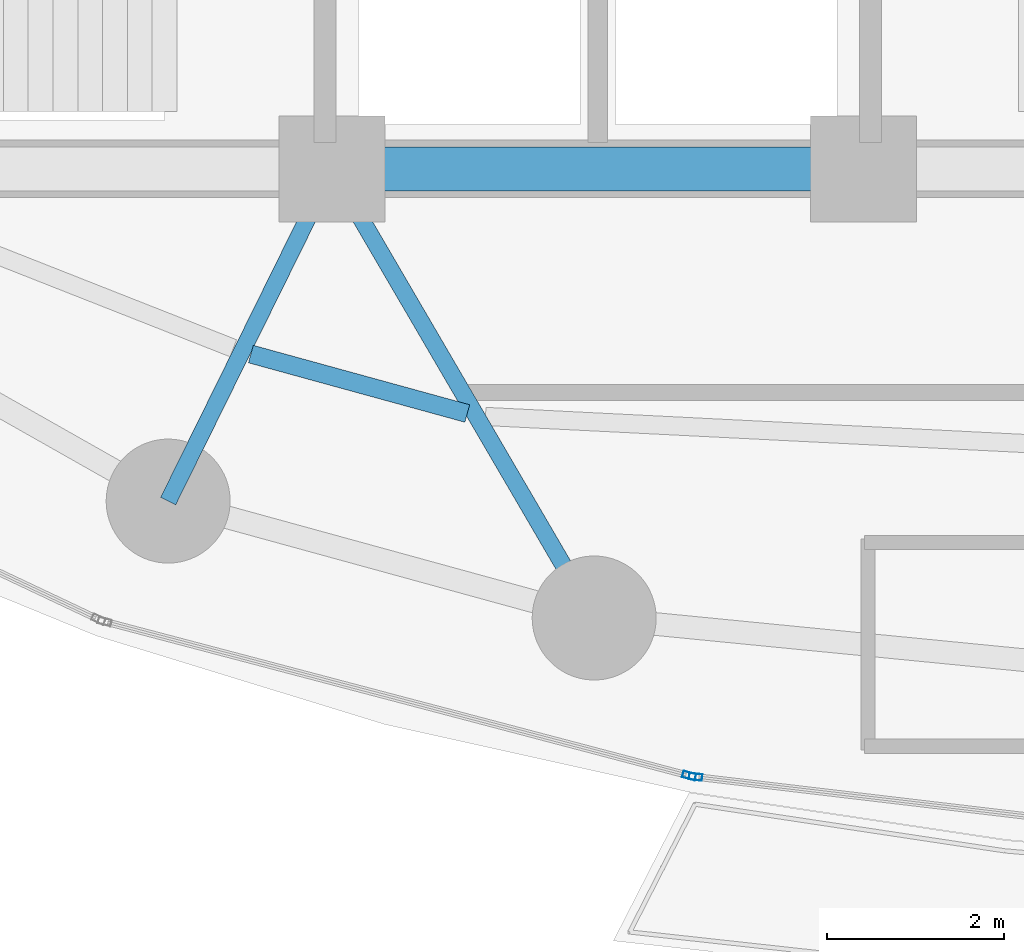
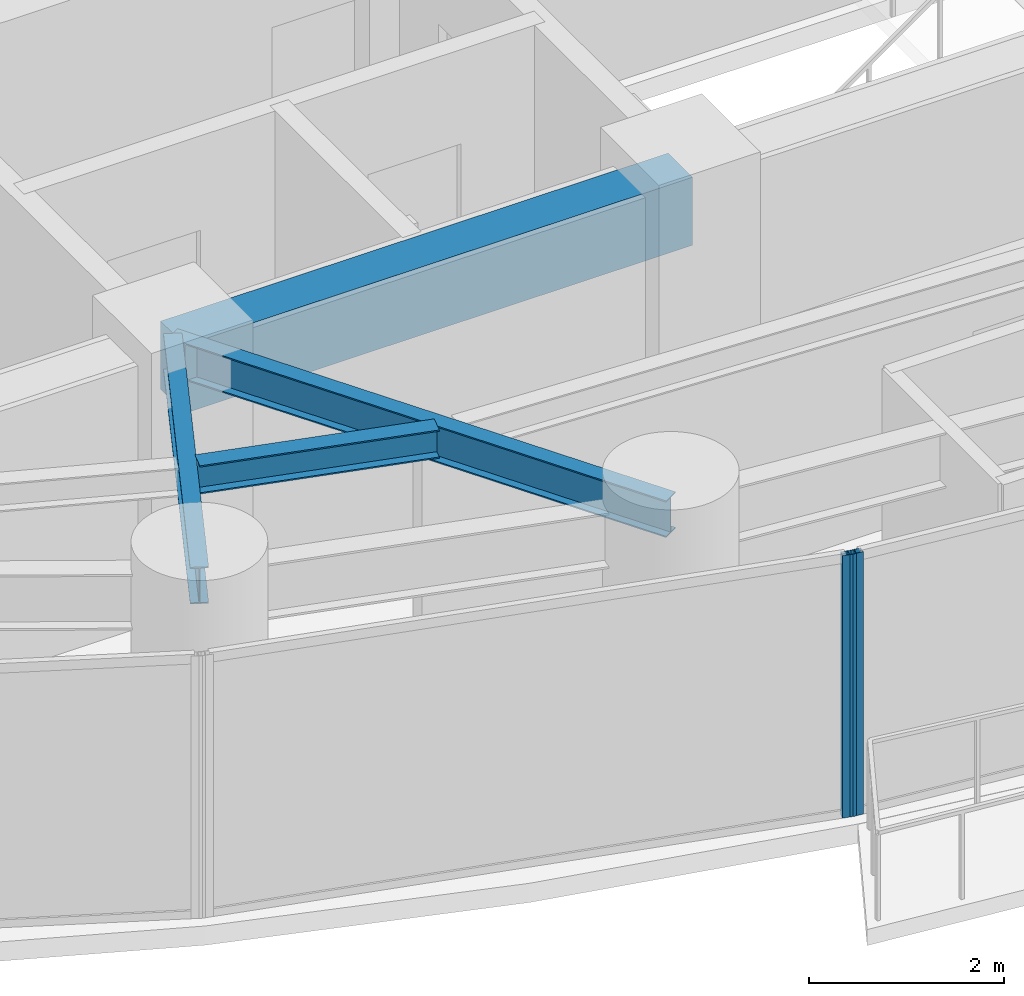
# One storey, part 5 of 30: 4 beams, 2 members, 2 elements without a shape of their own.
"""IFC4 building model written with IfcOpenShell, lengths in metres."""

import ifcopenshell
import ifcopenshell.guid

model = None  # the IFC model being written
_history = None  # IfcOwnerHistory: only IFC2X3 demands one
_inside = {}  # id of a spatial element -> (the spatial element, [elements in it])
_under = {}  # id of a project, library or spatial element -> (it, [spatial elements below it])
_declared = {}  # id of a project -> (the project, [libraries it declares])
_typed = {}  # id of a type object -> (the type object, [elements of that type])
_made_of = {}  # id of a material, layer set ... -> (it, [elements and type objects made of it])


def new_model(schema):
    """Start an empty IFC model of exactly this schema.

    Asked for "IFC4X3", IfcOpenShell would pick the latest addendum, in which some entities
    have other attributes; the version numbers below select the first issue.
    IFC2X3 requires an IfcOwnerHistory on every rooted entity: one is made here for all.
    """
    global model, _history
    if schema == "IFC4X3":
        model = ifcopenshell.file(schema_version=(4, 3, 0, 0))
    else:
        model = ifcopenshell.file(schema=schema)
    _inside.clear()
    _under.clear()
    _declared.clear()
    _typed.clear()
    _made_of.clear()
    _history = None
    if model.schema == "IFC2X3":
        org = make("IfcOrganization", Name="unknown")
        user = make(
            "IfcPersonAndOrganization",
            ThePerson=make("IfcPerson", FamilyName="unknown"),
            TheOrganization=org,
        )
        app = make(
            "IfcApplication",
            ApplicationDeveloper=org,
            Version="unknown",
            ApplicationFullName="unknown",
            ApplicationIdentifier="unknown",
        )
        _history = make(
            "IfcOwnerHistory",
            OwningUser=user,
            OwningApplication=app,
            ChangeAction="ADDED",
            CreationDate=0,
        )
    return model


def make(cls, **values):
    """One entity of the class cls with the attributes given. An attribute that is None is left unset."""
    return model.create_entity(
        cls, **{name: value for name, value in values.items() if value is not None}
    )


def rooted(cls, **values):
    """An entity with a GlobalId (a new one), such as an element, a storey or a relation."""
    return make(cls, GlobalId=ifcopenshell.guid.new(), OwnerHistory=_history, **values)


def si_unit(unit_type, name, prefix=None):
    """IfcSIUnit, for example si_unit("LENGTHUNIT", "METRE", prefix="MILLI")."""
    return make("IfcSIUnit", UnitType=unit_type, Prefix=prefix, Name=name)


def assignment(units):
    """IfcUnitAssignment: the units of a project."""
    return None if units is None else make("IfcUnitAssignment", Units=units)


def point(xyz):
    """IfcCartesianPoint."""
    return None if xyz is None else make("IfcCartesianPoint", Coordinates=xyz)


def direction(xyz):
    """IfcDirection."""
    return None if xyz is None else make("IfcDirection", DirectionRatios=xyz)


def frame(location, z_axis=None, x_axis=None):
    """IfcAxis2Placement3D, a coordinate frame: its origin and axes. An axis left out is left unset."""
    return make(
        "IfcAxis2Placement3D",
        Location=point(location),
        Axis=direction(z_axis),
        RefDirection=direction(x_axis),
    )


def frame_2d(location, x_axis=None):
    """IfcAxis2Placement2D, a coordinate frame in the plane: its origin and x axis."""
    return make(
        "IfcAxis2Placement2D", Location=point(location), RefDirection=direction(x_axis)
    )


def origin():
    """The frame at (0, 0, 0) with its axes left unset."""
    return frame((0.0, 0.0, 0.0))


def origin_2d():
    """The frame at (0, 0) in the plane with its x axis left unset."""
    return frame_2d((0.0, 0.0))


def place(relative_to, where):
    """IfcLocalPlacement: puts the frame where relative to a parent placement (None: the world)."""
    return make(
        "IfcLocalPlacement", PlacementRelTo=relative_to, RelativePlacement=where
    )


def context(
    kind, dimensions, precision=None, world=None, true_north=None, identifier=None
):
    """IfcGeometricRepresentationContext, for example the 3D "Model" context."""
    return make(
        "IfcGeometricRepresentationContext",
        ContextIdentifier=identifier,
        ContextType=kind,
        CoordinateSpaceDimension=dimensions,
        Precision=precision,
        WorldCoordinateSystem=world,
        TrueNorth=true_north,
    )


def subcontext(parent, identifier, kind, view, scale=None):
    """IfcGeometricRepresentationSubContext, for example "Body" below "Model"."""
    return make(
        "IfcGeometricRepresentationSubContext",
        ContextIdentifier=identifier,
        ContextType=kind,
        ParentContext=parent,
        TargetScale=scale,
        TargetView=view,
    )


def project(units=None, contexts=None):
    """IfcProject with its units and contexts."""
    return rooted(
        "IfcProject",
        Name="project",
        RepresentationContexts=contexts,
        UnitsInContext=assignment(units),
    )


def spatial(cls, under=None, at=None, **own):
    """A site, building, storey or space (cls), placed at a placement, below another one or the project."""
    s = rooted(cls, ObjectPlacement=at, **own)
    if under is not None:
        _under.setdefault(under.id(), (under, []))[1].append(s)
    return s


def profile(cls, at=None, kind="AREA", **sizes):
    """A parametric profile (cls). Its sizes go by their IFC names, for example OverallWidth=200.0."""
    return make(cls, ProfileType=kind, Position=at, **sizes)


def rectangle(**sizes):
    """IfcRectangleProfileDef."""
    return profile("IfcRectangleProfileDef", **sizes)


def hollow_rectangle(**sizes):
    """IfcRectangleHollowProfileDef."""
    return profile("IfcRectangleHollowProfileDef", **sizes)


def i_section(**sizes):
    """IfcIShapeProfileDef."""
    return profile("IfcIShapeProfileDef", **sizes)


def extrude(swept, where, along, depth):
    """IfcExtrudedAreaSolid: the profile swept, set in the frame where, extruded along a direction by depth."""
    return make(
        "IfcExtrudedAreaSolid",
        SweptArea=swept,
        Position=where,
        ExtrudedDirection=direction(along),
        Depth=depth,
    )


def shape(context_of_items, identifier, shape_type, items):
    """IfcShapeRepresentation: the items that make up one representation, for example the "Body"."""
    return make(
        "IfcShapeRepresentation",
        ContextOfItems=context_of_items,
        RepresentationIdentifier=identifier,
        RepresentationType=shape_type,
        Items=items,
    )


def material(Name=None, Category=None):
    """IfcMaterial."""
    return make("IfcMaterial", Name=Name, Category=Category)


def layer(
    of_material, thickness, ventilated=None, Name=None, Category=None, Priority=None
):
    """IfcMaterialLayer: one layer of a wall or slab, of a material (None: an air gap)."""
    return make(
        "IfcMaterialLayer",
        Material=of_material,
        LayerThickness=thickness,
        IsVentilated=ventilated,
        Name=Name,
        Category=Category,
        Priority=Priority,
    )


def layer_set(layers, Name=None):
    """IfcMaterialLayerSet."""
    return make("IfcMaterialLayerSet", MaterialLayers=layers, LayerSetName=Name)


def material_profile(
    of_material, cross_section, Name=None, Category=None, Priority=None
):
    """IfcMaterialProfile: a cross section and its material."""
    return make(
        "IfcMaterialProfile",
        Name=Name,
        Material=of_material,
        Profile=cross_section,
        Priority=Priority,
        Category=Category,
    )


def profile_set(profiles, Name=None, composite=None):
    """IfcMaterialProfileSet."""
    return make(
        "IfcMaterialProfileSet",
        Name=Name,
        MaterialProfiles=profiles,
        CompositeProfile=composite,
    )


def made_of(thing, what):
    """Note that an element or type object is made of a material, layer set ...; save() writes the relation."""
    if what is not None:
        _made_of.setdefault(what.id(), (what, []))[1].append(thing)
    return thing


def type_object(cls, material=None, **own):
    """A type object (cls), such as IfcWallType, which elements share."""
    return made_of(rooted(cls, **own), material)


def element(
    cls,
    number,
    at=None,
    inside=None,
    cuts=None,
    type_object=None,
    material=None,
    context=None,
    identifier="Body",
    shape_type=None,
    held_by="IfcProductDefinitionShape",
    body=None,
    shapes=None,
    **own,
):
    """One element of the class cls, such as IfcWall. Its Tag is "e" and its number.

    at: its placement. inside: the storey or other place that contains it. cuts: it is an
    opening in that element (IfcRelVoidsElement). A single representation is given by context,
    identifier, shape_type and body (its items); several are given by shapes. held_by: the class
    of the entity that holds the representations. save() writes the other relations.
    """
    e = rooted(cls, Tag="e%d" % number, ObjectPlacement=at, **own)
    if body is not None:
        shapes = [shape(context, identifier, shape_type, body)]
    if shapes is not None:
        e.Representation = make(held_by, Representations=shapes)
    if inside is not None:
        _inside.setdefault(inside.id(), (inside, []))[1].append(e)
    if cuts is not None:
        rooted(
            "IfcRelVoidsElement", RelatingBuildingElement=cuts, RelatedOpeningElement=e
        )
    if type_object is not None:
        _typed.setdefault(type_object.id(), (type_object, []))[1].append(e)
    return made_of(e, material)


def aggregate(whole, parts):
    """IfcRelAggregates: a whole, such as a stair, and the parts it consists of."""
    return rooted("IfcRelAggregates", RelatingObject=whole, RelatedObjects=parts)


def save(model, path):
    """Write the relations noted so far, then the file.

    IfcRelAggregates (storeys below a building ...), IfcRelContainedInSpatialStructure (elements
    in a storey), IfcRelDefinesByType, IfcRelAssociatesMaterial and IfcRelDeclares: one each for
    every whole, place, type object, material and project.
    """
    for whole, parts in _under.values():
        aggregate(whole, parts)
    for where, things in _inside.values():
        rooted(
            "IfcRelContainedInSpatialStructure",
            RelatedElements=things,
            RelatingStructure=where,
        )
    for kind, things in _typed.values():
        rooted("IfcRelDefinesByType", RelatedObjects=things, RelatingType=kind)
    for what, things in _made_of.values():
        rooted("IfcRelAssociatesMaterial", RelatedObjects=things, RelatingMaterial=what)
    for by, libraries in _declared.values():
        rooted("IfcRelDeclares", RelatingContext=by, RelatedDefinitions=libraries)
    model.write(path)


model = new_model("IFC4")

# Units and contexts
model_context = context("Model", 3, precision=1e-05, world=origin(), true_north=direction((0.0, 1.0)))
body_context = subcontext(model_context, "Body", "Model", "MODEL_VIEW")
ifc_project = project(units=[si_unit("LENGTHUNIT", "METRE"), si_unit("AREAUNIT", "SQUARE_METRE"), si_unit("VOLUMEUNIT", "CUBIC_METRE"), si_unit("PLANEANGLEUNIT", "RADIAN"), si_unit("MASSUNIT", "GRAM", prefix="KILO")], contexts=[model_context])

# Site, building, storey
site_placement = place(None, origin())
site = spatial("IfcSite", under=ifc_project, at=site_placement, CompositionType="ELEMENT")
building_placement = place(site_placement, origin())
building = spatial("IfcBuilding", under=site, at=building_placement, Name="Kazevale Care Tower and Concert Hall", CompositionType="ELEMENT")
storey_placement = place(building_placement, frame((0.0, 0.0, 88.800048828125)))
storey = spatial("IfcBuildingStorey", under=building, at=storey_placement, Name="L23", CompositionType="ELEMENT", Elevation=88.800048828125)

# Curtain wall, member
ifc_material_1 = material(Name="Aluminium 6063-T6 and Low-E Glass", Category="aluminium")
ifc_layer = layer(ifc_material_1, 0.179931640625)
ifc_layer_set = layer_set([ifc_layer], Name="Aluminium 6063-T6 and Low-E Glass")
curtain_wall_type = type_object("IfcCurtainWallType", Name="Sheltered Concave Balcony Curtain Wall CW-5", PredefinedType="NOTDEFINED", material=ifc_layer_set)
curtain_wall_1_placement = place(storey_placement, origin())
curtain_wall_1 = element("IfcCurtainWall", 1, at=curtain_wall_1_placement, inside=storey, type_object=curtain_wall_type, Name="cw:L23:f07", PredefinedType="NOTDEFINED")
ifc_material_2 = material(Name="Aluminium 6063-T6", Category="aluminium")
ifc_material_profile_1 = material_profile(ifc_material_2, hollow_rectangle(XDim=0.074951171875, YDim=0.14990234375, WallThickness=0.00390625, at=origin_2d()), Name="ALU75x150x4")
ifc_profile_set_1 = profile_set([ifc_material_profile_1], Name="Aluminium 6063-T6")
member_type = type_object("IfcMemberType", Name="CW-5 Mullion ALU75x150x4", PredefinedType="MULLION", material=ifc_profile_set_1)
member_1_placement = place(storey_placement, frame((34.105224609375, 16.736572265625, 0.0), z_axis=(0.0, 0.0, 1.0), x_axis=(-0.117519084253, -0.993070624294, 0.0)))
member_1 = element("IfcMember", 2, at=member_1_placement, type_object=member_type, Name="CW-5 mullion 2", PredefinedType="MULLION", context=body_context, shape_type="SweptSolid", body=[
    extrude(hollow_rectangle(XDim=0.074951171875, YDim=0.14990234375, WallThickness=0.00390625, at=origin_2d()), origin(), (0.0, 0.0, 1.0), 3.280029296875),
])
aggregate(curtain_wall_1, [member_1])

curtain_wall_2_placement = place(storey_placement, origin())
curtain_wall_2 = element("IfcCurtainWall", 3, at=curtain_wall_2_placement, inside=storey, type_object=curtain_wall_type, Name="cw:L23:f08", PredefinedType="NOTDEFINED")
member_2_placement = place(storey_placement, frame((34.03173828125, 16.75048828125, 0.0), z_axis=(0.0, 0.0, 1.0), x_axis=(-0.254828630267, -0.966986230097, 0.0)))
member_2 = element("IfcMember", 4, at=member_2_placement, type_object=member_type, Name="CW-5 mullion 1", PredefinedType="MULLION", context=body_context, shape_type="SweptSolid", body=[
    extrude(hollow_rectangle(XDim=0.074951171875, YDim=0.14990234375, WallThickness=0.00390625, at=origin_2d()), origin(), (0.0, 0.0, 1.0), 3.280029296875),
])
aggregate(curtain_wall_2, [member_2])

# Beams
ifc_material_3 = material(Name="Concrete C60", Category="concrete")
ifc_material_profile_2 = material_profile(ifc_material_3, rectangle(XDim=0.5, YDim=0.85009765625, at=origin_2d()), Name="RC-B500x850")
ifc_profile_set_2 = profile_set([ifc_material_profile_2], Name="Concrete C60")
beam_type_1 = type_object("IfcBeamType", Name="Core Coupling Beam RC500x850", PredefinedType="LINTEL", material=ifc_profile_set_2)
beam_1_placement = place(storey_placement, frame((30.0, 23.60009765625, 2.85498046875), z_axis=(1.0, 0.0, 0.0), x_axis=(0.0, 1.0, 0.0)))
element("IfcBeam", 5, at=beam_1_placement, inside=storey, type_object=beam_type_1, Name="beam:L23:coretie:2", PredefinedType="LINTEL", context=body_context, shape_type="SweptSolid", body=[
    extrude(rectangle(XDim=0.5, YDim=0.85009765625, at=origin_2d()), origin(), (0.0, 0.0, 1.0), 6.0),
])
ifc_material_4 = material(Name="Steel ASTM A572 Gr 50", Category="steel")
ifc_material_profile_3 = material_profile(ifc_material_4, i_section(OverallWidth=0.19091796875, OverallDepth=0.4599609375, WebThickness=0.010009765625, FlangeThickness=0.01611328125, at=origin_2d()), Name="W460x82")
ifc_profile_set_3 = profile_set([ifc_material_profile_3], Name="Steel ASTM A572 Gr 50")
beam_type_2 = type_object("IfcBeamType", Name="Radial Floor Beam W460x82", PredefinedType="BEAM", material=ifc_profile_set_3)
beam_2_placement = place(storey_placement, frame((30.0, 23.60009765625, 3.050048828125), z_axis=(-0.442443019162, -0.896796618412, 0.0), x_axis=(0.896796618412, -0.442443019162, 0.0)))
element("IfcBeam", 6, at=beam_2_placement, inside=storey, type_object=beam_type_2, Name="beam:L23:rad:11", PredefinedType="BEAM", context=body_context, shape_type="SweptSolid", body=[
    extrude(i_section(OverallWidth=0.19091796875, OverallDepth=0.4599609375, WebThickness=0.010009765625, FlangeThickness=0.01611328125, at=origin_2d()), origin(), (0.0, 0.0, 1.0), 4.181640625),
])
beam_3_placement = place(storey_placement, frame((30.0, 23.60009765625, 3.050048828125), z_axis=(0.50417868077, -0.86359936189, 0.0), x_axis=(0.86359936189, 0.50417868077, 0.0)))
element("IfcBeam", 7, at=beam_3_placement, inside=storey, type_object=beam_type_2, Name="beam:L23:rad:12", PredefinedType="BEAM", context=body_context, shape_type="SweptSolid", body=[
    extrude(i_section(OverallWidth=0.19091796875, OverallDepth=0.4599609375, WebThickness=0.010009765625, FlangeThickness=0.01611328125, at=origin_2d()), origin(), (0.0, 0.0, 1.0), 5.870849609375),
])
ifc_material_profile_4 = material_profile(ifc_material_4, i_section(OverallWidth=0.205078125, OverallDepth=0.35400390625, WebThickness=0.009521484375, FlangeThickness=0.016845703125, at=origin_2d()), Name="W360x79")
ifc_profile_set_4 = profile_set([ifc_material_profile_4], Name="Steel ASTM A572 Gr 50")
beam_type_3 = type_object("IfcBeamType", Name="Secondary Floor Joist W360x79", PredefinedType="JOIST", material=ifc_profile_set_4)
beam_4_placement = place(storey_placement, frame((29.083984375, 21.510009765625, 3.10302734375), z_axis=(0.964302027389, -0.264804833743, 0.0), x_axis=(0.264804833743, 0.964302027389, 0.0)))
element("IfcBeam", 8, at=beam_4_placement, inside=storey, type_object=beam_type_3, Name="beam:L23:joist:11", PredefinedType="JOIST", context=body_context, shape_type="SweptSolid", body=[
    extrude(i_section(OverallWidth=0.205078125, OverallDepth=0.35400390625, WebThickness=0.009521484375, FlangeThickness=0.016845703125, at=origin_2d()), origin(), (0.0, 0.0, 1.0), 2.533447265625),
])

save(model, "model.ifc")
